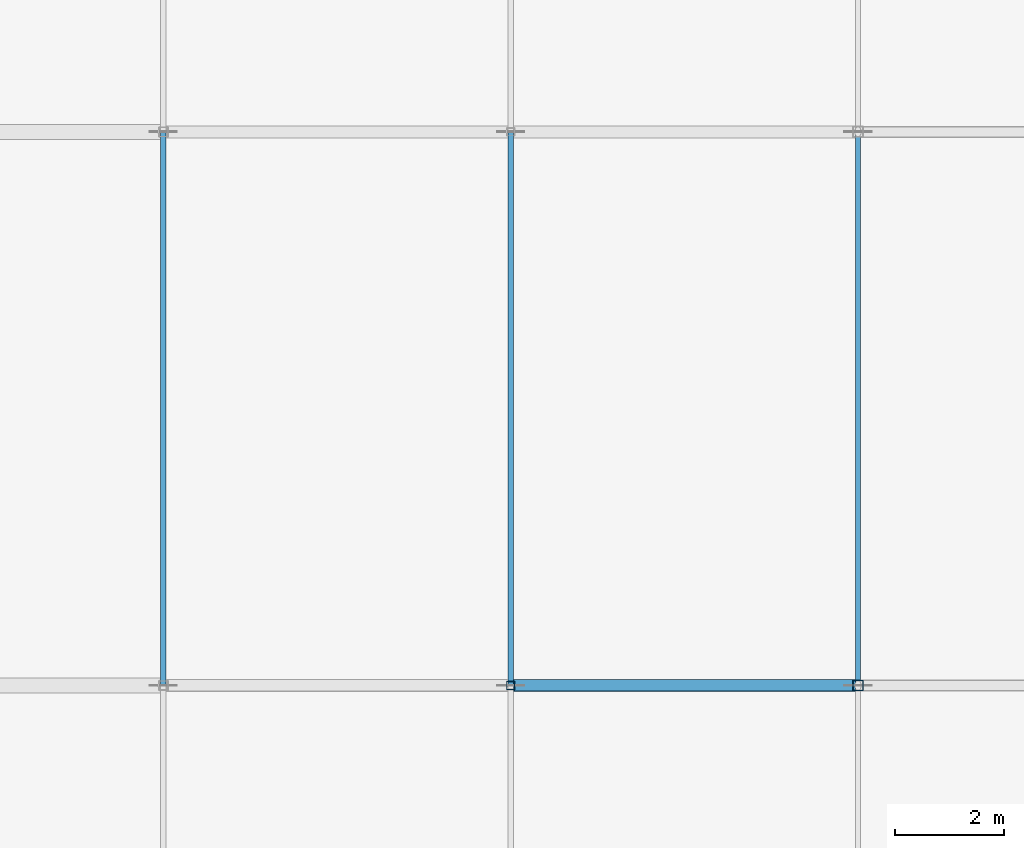
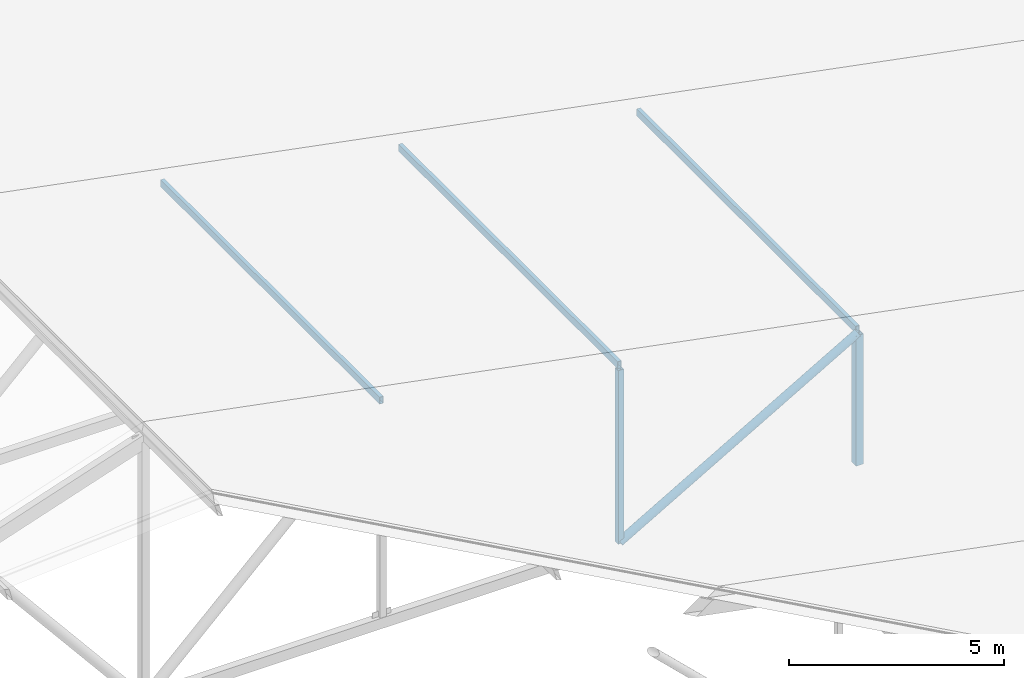
# One storey, part 46 of 200: 6 members.
"""IFC4 building model written with IfcOpenShell, lengths in metres."""

from ifc_helpers import new_model, si_unit, direction, frame, origin, origin_2d, place, context, subcontext, project, spatial, hollow_rectangle, hollow_circle, extrude, material, material_profile, profile_set, type_object, element, save


model = new_model("IFC4")

# Units and contexts
model_context = context("Model", 3, precision=1e-05, world=origin(), true_north=direction((0.0, 1.0)))
body_context = subcontext(model_context, "Body", "Model", "MODEL_VIEW")
ifc_project = project(units=[si_unit("LENGTHUNIT", "METRE"), si_unit("AREAUNIT", "SQUARE_METRE"), si_unit("VOLUMEUNIT", "CUBIC_METRE"), si_unit("PLANEANGLEUNIT", "RADIAN"), si_unit("MASSUNIT", "GRAM", prefix="KILO")], contexts=[model_context])

# Site, building, storey
site_placement = place(None, origin())
site = spatial("IfcSite", under=ifc_project, at=site_placement, CompositionType="ELEMENT")
building_placement = place(site_placement, origin())
building = spatial("IfcBuilding", under=site, at=building_placement, Name="Vondelvale Polytechnic", CompositionType="ELEMENT")
storey_placement = place(building_placement, frame((0.0, 0.0, 13.800048828125)))
storey = spatial("IfcBuildingStorey", under=building, at=storey_placement, Name="L03", CompositionType="ELEMENT", Elevation=13.800048828125)

# Members
ifc_material = material(Name="Steel C350L0 (fy = 350 MPa)", Category="steel")
ifc_material_profile_1 = material_profile(ifc_material, hollow_rectangle(XDim=0.10009765625, YDim=0.199951171875, WallThickness=0.006103515625, at=origin_2d()), Name="200x100x6.0RHS")
ifc_profile_set_1 = profile_set([ifc_material_profile_1], Name="Steel C350L0 (fy = 350 MPa)")
member_type_1 = type_object("IfcMemberType", Name="PURLIN RHS200", PredefinedType="PURLIN", material=ifc_profile_set_1)
for number, where, z_axis, x_axis, name in (
    (1, (16.0, 71.39990234375, 5.847900390625), (0.0, 1.0, 0.0), (-1.0, 0.0, 0.0), "Workshop roof purlin bay 3"),
    (2, (22.39990234375, 71.39990234375, 4.614501953125), (0.0, 1.0, 0.0), (-1.0, 0.0, 0.0), "Workshop roof purlin bay 3"),
    (3, (28.800048828125, 71.39990234375, 3.38134765625), (0.0, 1.0, 0.0), (-1.0, 0.0, 0.0), "Workshop roof purlin bay 3"),
):
    element("IfcMember", number, at=place(storey_placement, frame(where, z_axis=z_axis, x_axis=x_axis)), inside=storey, type_object=member_type_1, Name=name, PredefinedType="PURLIN", context=body_context, shape_type="SweptSolid", body=[
        extrude(hollow_rectangle(XDim=0.10009765625, YDim=0.199951171875, WallThickness=0.006103515625, at=origin_2d()), origin(), (0.0, 0.0, 1.0), 10.2001953125),
    ])
ifc_material_profile_2 = material_profile(ifc_material, hollow_circle(Radius=0.109619140625, WallThickness=0.00830078125, at=origin_2d()), Name="219.1x8.2CHS")
ifc_profile_set_2 = profile_set([ifc_material_profile_2], Name="Steel C350L0 (fy = 350 MPa)")
member_type_2 = type_object("IfcMemberType", Name="ROOF TRUSS BRACE 219CHS", PredefinedType="BRACE", material=ifc_profile_set_2)
member_1_placement = place(storey_placement, frame((22.39990234375, 71.39990234375, -0.420166015625), z_axis=(0.865728347066, 0.0, 0.50051416472), x_axis=(0.0, 1.0, 0.0)))
element("IfcMember", 4, at=member_1_placement, inside=storey, type_object=member_type_2, Name="ROOF TRUSS TR-03 web diagonal 5", PredefinedType="BRACE", context=body_context, shape_type="SweptSolid", body=[
    extrude(hollow_circle(Radius=0.109619140625, WallThickness=0.00830078125, at=origin_2d()), origin(), (0.0, 0.0, 1.0), 7.392822265625),
])
ifc_material_profile_3 = material_profile(ifc_material, hollow_rectangle(XDim=0.14990234375, YDim=0.14990234375, WallThickness=0.006103515625, at=origin_2d()), Name="150x150x6.0SHS")
ifc_profile_set_3 = profile_set([ifc_material_profile_3], Name="Steel C350L0 (fy = 350 MPa)")
member_type_3 = type_object("IfcMemberType", Name="ROOF TRUSS POST 150SHS", PredefinedType="POST", material=ifc_profile_set_3)
member_2_placement = place(storey_placement, frame((22.39990234375, 71.39990234375, -0.420166015625), z_axis=(0.0, 0.0, 1.0), x_axis=(1.0, 0.0, 0.0)))
element("IfcMember", 5, at=member_2_placement, inside=storey, type_object=member_type_3, Name="ROOF TRUSS TR-03 vertical post 4", PredefinedType="POST", context=body_context, shape_type="SweptSolid", body=[
    extrude(hollow_rectangle(XDim=0.14990234375, YDim=0.14990234375, WallThickness=0.006103515625, at=origin_2d()), origin(), (0.0, 0.0, 1.0), 4.933349609375),
])
ifc_material_profile_4 = material_profile(ifc_material, hollow_rectangle(XDim=0.199951171875, YDim=0.199951171875, WallThickness=0.009033203125, at=origin_2d()), Name="200x200x9.0SHS")
ifc_profile_set_4 = profile_set([ifc_material_profile_4], Name="Steel C350L0 (fy = 350 MPa)")
member_type_4 = type_object("IfcMemberType", Name="ROOF TRUSS POST 200SHS", PredefinedType="POST", material=ifc_profile_set_4)
member_3_placement = place(storey_placement, frame((28.800048828125, 71.39990234375, -0.420166015625), z_axis=(0.0, 0.0, 1.0), x_axis=(1.0, 0.0, 0.0)))
element("IfcMember", 6, at=member_3_placement, inside=storey, type_object=member_type_4, Name="ROOF TRUSS TR-03 vertical post 5", PredefinedType="POST", context=body_context, shape_type="SweptSolid", body=[
    extrude(hollow_rectangle(XDim=0.199951171875, YDim=0.199951171875, WallThickness=0.009033203125, at=origin_2d()), origin(), (0.0, 0.0, 1.0), 3.7001953125),
])

save(model, "model.ifc")
